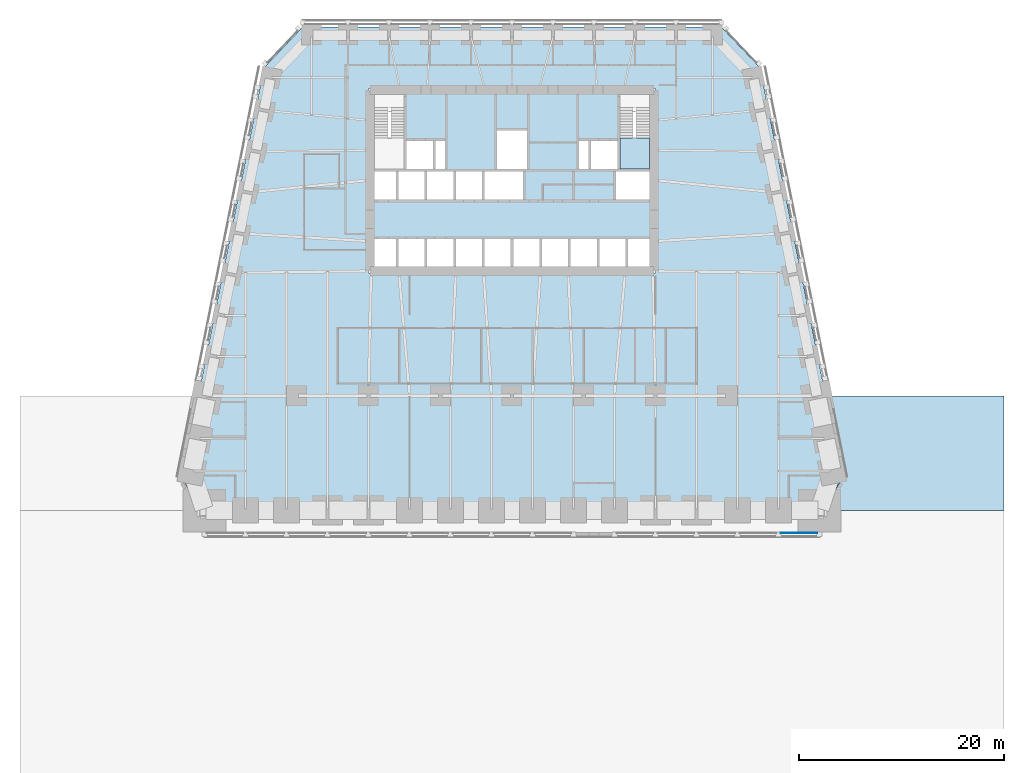
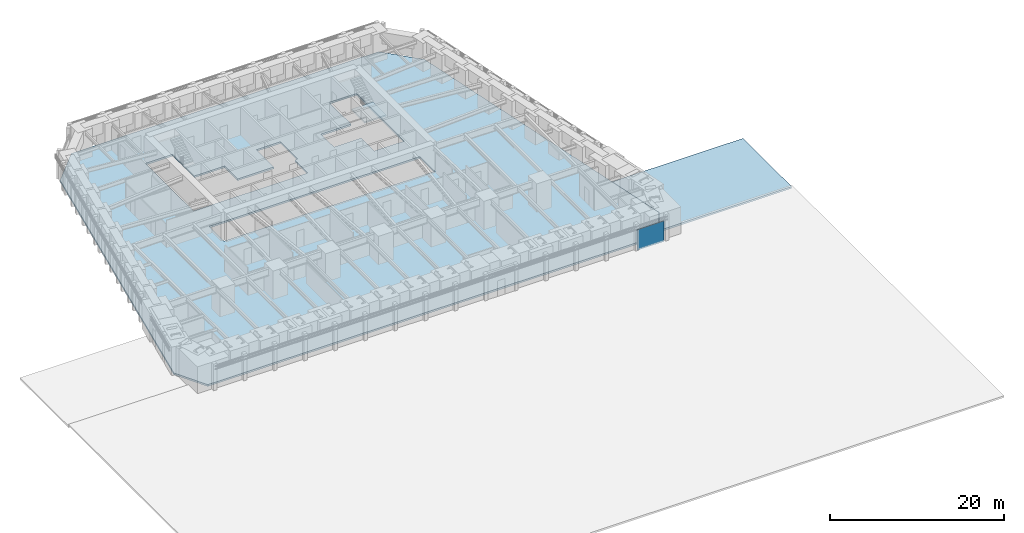
# One storey, part 8 of 18: 3 slabs, 1 plate, 2 elements without a shape of their own.
"""IFC4 building model written with IfcOpenShell, lengths in metres."""

import ifcopenshell
import ifcopenshell.guid

model = None  # the IFC model being written
_history = None  # IfcOwnerHistory: only IFC2X3 demands one
_inside = {}  # id of a spatial element -> (the spatial element, [elements in it])
_under = {}  # id of a project, library or spatial element -> (it, [spatial elements below it])
_declared = {}  # id of a project -> (the project, [libraries it declares])
_typed = {}  # id of a type object -> (the type object, [elements of that type])
_made_of = {}  # id of a material, layer set ... -> (it, [elements and type objects made of it])


def new_model(schema):
    """Start an empty IFC model of exactly this schema.

    Asked for "IFC4X3", IfcOpenShell would pick the latest addendum, in which some entities
    have other attributes; the version numbers below select the first issue.
    IFC2X3 requires an IfcOwnerHistory on every rooted entity: one is made here for all.
    """
    global model, _history
    if schema == "IFC4X3":
        model = ifcopenshell.file(schema_version=(4, 3, 0, 0))
    else:
        model = ifcopenshell.file(schema=schema)
    _inside.clear()
    _under.clear()
    _declared.clear()
    _typed.clear()
    _made_of.clear()
    _history = None
    if model.schema == "IFC2X3":
        org = make("IfcOrganization", Name="unknown")
        user = make(
            "IfcPersonAndOrganization",
            ThePerson=make("IfcPerson", FamilyName="unknown"),
            TheOrganization=org,
        )
        app = make(
            "IfcApplication",
            ApplicationDeveloper=org,
            Version="unknown",
            ApplicationFullName="unknown",
            ApplicationIdentifier="unknown",
        )
        _history = make(
            "IfcOwnerHistory",
            OwningUser=user,
            OwningApplication=app,
            ChangeAction="ADDED",
            CreationDate=0,
        )
    return model


def make(cls, **values):
    """One entity of the class cls with the attributes given. An attribute that is None is left unset."""
    return model.create_entity(
        cls, **{name: value for name, value in values.items() if value is not None}
    )


def rooted(cls, **values):
    """An entity with a GlobalId (a new one), such as an element, a storey or a relation."""
    return make(cls, GlobalId=ifcopenshell.guid.new(), OwnerHistory=_history, **values)


def si_unit(unit_type, name, prefix=None):
    """IfcSIUnit, for example si_unit("LENGTHUNIT", "METRE", prefix="MILLI")."""
    return make("IfcSIUnit", UnitType=unit_type, Prefix=prefix, Name=name)


def assignment(units):
    """IfcUnitAssignment: the units of a project."""
    return None if units is None else make("IfcUnitAssignment", Units=units)


def point(xyz):
    """IfcCartesianPoint."""
    return None if xyz is None else make("IfcCartesianPoint", Coordinates=xyz)


def direction(xyz):
    """IfcDirection."""
    return None if xyz is None else make("IfcDirection", DirectionRatios=xyz)


def frame(location, z_axis=None, x_axis=None):
    """IfcAxis2Placement3D, a coordinate frame: its origin and axes. An axis left out is left unset."""
    return make(
        "IfcAxis2Placement3D",
        Location=point(location),
        Axis=direction(z_axis),
        RefDirection=direction(x_axis),
    )


def frame_2d(location, x_axis=None):
    """IfcAxis2Placement2D, a coordinate frame in the plane: its origin and x axis."""
    return make(
        "IfcAxis2Placement2D", Location=point(location), RefDirection=direction(x_axis)
    )


def origin():
    """The frame at (0, 0, 0) with its axes left unset."""
    return frame((0.0, 0.0, 0.0))


def origin_2d():
    """The frame at (0, 0) in the plane with its x axis left unset."""
    return frame_2d((0.0, 0.0))


def place(relative_to, where):
    """IfcLocalPlacement: puts the frame where relative to a parent placement (None: the world)."""
    return make(
        "IfcLocalPlacement", PlacementRelTo=relative_to, RelativePlacement=where
    )


def context(
    kind, dimensions, precision=None, world=None, true_north=None, identifier=None
):
    """IfcGeometricRepresentationContext, for example the 3D "Model" context."""
    return make(
        "IfcGeometricRepresentationContext",
        ContextIdentifier=identifier,
        ContextType=kind,
        CoordinateSpaceDimension=dimensions,
        Precision=precision,
        WorldCoordinateSystem=world,
        TrueNorth=true_north,
    )


def subcontext(parent, identifier, kind, view, scale=None):
    """IfcGeometricRepresentationSubContext, for example "Body" below "Model"."""
    return make(
        "IfcGeometricRepresentationSubContext",
        ContextIdentifier=identifier,
        ContextType=kind,
        ParentContext=parent,
        TargetScale=scale,
        TargetView=view,
    )


def project(units=None, contexts=None):
    """IfcProject with its units and contexts."""
    return rooted(
        "IfcProject",
        Name="project",
        RepresentationContexts=contexts,
        UnitsInContext=assignment(units),
    )


def spatial(cls, under=None, at=None, **own):
    """A site, building, storey or space (cls), placed at a placement, below another one or the project."""
    s = rooted(cls, ObjectPlacement=at, **own)
    if under is not None:
        _under.setdefault(under.id(), (under, []))[1].append(s)
    return s


def polyline(points):
    """IfcPolyline through the points."""
    return make("IfcPolyline", Points=[point(p) for p in points])


def profile(cls, at=None, kind="AREA", **sizes):
    """A parametric profile (cls). Its sizes go by their IFC names, for example OverallWidth=200.0."""
    return make(cls, ProfileType=kind, Position=at, **sizes)


def rectangle(**sizes):
    """IfcRectangleProfileDef."""
    return profile("IfcRectangleProfileDef", **sizes)


def outline(outer, holes=None, kind="AREA"):
    """IfcArbitraryClosedProfileDef: a profile drawn as a closed curve; with holes, ...WithVoids."""
    if holes is None:
        return make("IfcArbitraryClosedProfileDef", ProfileType=kind, OuterCurve=outer)
    return make(
        "IfcArbitraryProfileDefWithVoids",
        ProfileType=kind,
        OuterCurve=outer,
        InnerCurves=holes,
    )


def extrude(swept, where, along, depth):
    """IfcExtrudedAreaSolid: the profile swept, set in the frame where, extruded along a direction by depth."""
    return make(
        "IfcExtrudedAreaSolid",
        SweptArea=swept,
        Position=where,
        ExtrudedDirection=direction(along),
        Depth=depth,
    )


def shape(context_of_items, identifier, shape_type, items):
    """IfcShapeRepresentation: the items that make up one representation, for example the "Body"."""
    return make(
        "IfcShapeRepresentation",
        ContextOfItems=context_of_items,
        RepresentationIdentifier=identifier,
        RepresentationType=shape_type,
        Items=items,
    )


def material(Name=None, Category=None):
    """IfcMaterial."""
    return make("IfcMaterial", Name=Name, Category=Category)


def layer(
    of_material, thickness, ventilated=None, Name=None, Category=None, Priority=None
):
    """IfcMaterialLayer: one layer of a wall or slab, of a material (None: an air gap)."""
    return make(
        "IfcMaterialLayer",
        Material=of_material,
        LayerThickness=thickness,
        IsVentilated=ventilated,
        Name=Name,
        Category=Category,
        Priority=Priority,
    )


def layer_set(layers, Name=None):
    """IfcMaterialLayerSet."""
    return make("IfcMaterialLayerSet", MaterialLayers=layers, LayerSetName=Name)


def made_of(thing, what):
    """Note that an element or type object is made of a material, layer set ...; save() writes the relation."""
    if what is not None:
        _made_of.setdefault(what.id(), (what, []))[1].append(thing)
    return thing


def type_object(cls, material=None, **own):
    """A type object (cls), such as IfcWallType, which elements share."""
    return made_of(rooted(cls, **own), material)


def element(
    cls,
    number,
    at=None,
    inside=None,
    cuts=None,
    type_object=None,
    material=None,
    context=None,
    identifier="Body",
    shape_type=None,
    held_by="IfcProductDefinitionShape",
    body=None,
    shapes=None,
    **own,
):
    """One element of the class cls, such as IfcWall. Its Tag is "e" and its number.

    at: its placement. inside: the storey or other place that contains it. cuts: it is an
    opening in that element (IfcRelVoidsElement). A single representation is given by context,
    identifier, shape_type and body (its items); several are given by shapes. held_by: the class
    of the entity that holds the representations. save() writes the other relations.
    """
    e = rooted(cls, Tag="e%d" % number, ObjectPlacement=at, **own)
    if body is not None:
        shapes = [shape(context, identifier, shape_type, body)]
    if shapes is not None:
        e.Representation = make(held_by, Representations=shapes)
    if inside is not None:
        _inside.setdefault(inside.id(), (inside, []))[1].append(e)
    if cuts is not None:
        rooted(
            "IfcRelVoidsElement", RelatingBuildingElement=cuts, RelatedOpeningElement=e
        )
    if type_object is not None:
        _typed.setdefault(type_object.id(), (type_object, []))[1].append(e)
    return made_of(e, material)


def aggregate(whole, parts):
    """IfcRelAggregates: a whole, such as a stair, and the parts it consists of."""
    return rooted("IfcRelAggregates", RelatingObject=whole, RelatedObjects=parts)


def save(model, path):
    """Write the relations noted so far, then the file.

    IfcRelAggregates (storeys below a building ...), IfcRelContainedInSpatialStructure (elements
    in a storey), IfcRelDefinesByType, IfcRelAssociatesMaterial and IfcRelDeclares: one each for
    every whole, place, type object, material and project.
    """
    for whole, parts in _under.values():
        aggregate(whole, parts)
    for where, things in _inside.values():
        rooted(
            "IfcRelContainedInSpatialStructure",
            RelatedElements=things,
            RelatingStructure=where,
        )
    for kind, things in _typed.values():
        rooted("IfcRelDefinesByType", RelatedObjects=things, RelatingType=kind)
    for what, things in _made_of.values():
        rooted("IfcRelAssociatesMaterial", RelatedObjects=things, RelatingMaterial=what)
    for by, libraries in _declared.values():
        rooted("IfcRelDeclares", RelatingContext=by, RelatedDefinitions=libraries)
    model.write(path)


model = new_model("IFC4")

# Units and contexts
model_context = context("Model", 3, precision=1e-05, world=origin(), true_north=direction((0.0, 1.0)))
body_context = subcontext(model_context, "Body", "Model", "MODEL_VIEW")
ifc_project = project(units=[si_unit("LENGTHUNIT", "METRE"), si_unit("AREAUNIT", "SQUARE_METRE"), si_unit("VOLUMEUNIT", "CUBIC_METRE"), si_unit("PLANEANGLEUNIT", "RADIAN"), si_unit("MASSUNIT", "GRAM", prefix="KILO")], contexts=[model_context])

# Site, building, storey
site_placement = place(None, origin())
site = spatial("IfcSite", under=ifc_project, at=site_placement, CompositionType="ELEMENT")
building_placement = place(site_placement, origin())
building = spatial("IfcBuilding", under=site, at=building_placement, Name="Isbrekke Arena Tower", CompositionType="ELEMENT")
storey_placement = place(building_placement, frame((0.0, 0.0, 28.0)))
storey = spatial("IfcBuildingStorey", under=building, at=storey_placement, Name="L04", CompositionType="ELEMENT", Elevation=28.0)

# Curtain wall, plate
ifc_material_1 = material(Name="Glazed aluminium curtain wall", Category="aluminium")
curtain_wall_type = type_object("IfcCurtainWallType", Name="CWL TOWER CURTAIN WALL LOW ZONE", PredefinedType="USERDEFINED", material=ifc_material_1)
curtain_wall_placement = place(storey_placement, origin())
curtain_wall = element("IfcCurtainWall", 1, at=curtain_wall_placement, inside=storey, type_object=curtain_wall_type, Name="CWL curtain wall L04-S2", ObjectType="TOWER CURTAIN WALL LOW ZONE", PredefinedType="USERDEFINED")
ifc_material_2 = material(Name="Triple-glazed clear glass unit", Category="glass")
ifc_layer_1 = layer(ifc_material_2, 0.031982421875)
ifc_layer_set_1 = layer_set([ifc_layer_1], Name="CWL-P VISION PANEL")
plate_type = type_object("IfcPlateType", Name="CWL-P VISION PANEL", PredefinedType="CURTAIN_PANEL", material=ifc_layer_set_1)
plate_placement = place(storey_placement, frame((28.0, -19.375, 0.02001953125), z_axis=(0.0, 0.0, 1.0), x_axis=(1.0, 0.0, 0.0)))
plate = element("IfcPlate", 2, at=plate_placement, type_object=plate_type, Name="CWL-P panel 5", PredefinedType="CURTAIN_PANEL", context=body_context, shape_type="SweptSolid", body=[
    extrude(rectangle(XDim=3.550048828125, YDim=0.031982421875, at=origin_2d()), origin(), (0.0, 0.0, 1.0), 2.8798828125),
])
aggregate(curtain_wall, [plate])

# Slabs
ifc_material_3 = material(Name="Concrete B35 (C35/45)", Category="concrete")
ifc_layer_2 = layer(ifc_material_3, 0.25)
ifc_layer_set_2 = layer_set([ifc_layer_2], Name="FS4 TRANSFER FLOOR 250")
slab_type_1 = type_object("IfcSlabType", Name="FS4 TRANSFER FLOOR 250", PredefinedType="FLOOR", material=ifc_layer_set_2)
slab_1_placement = place(storey_placement, frame((0.0, 0.0, -0.25)))
element("IfcSlab", 3, at=slab_1_placement, inside=storey, type_object=slab_type_1, Name="FS4 floor slab L04", PredefinedType="FLOOR", context=body_context, shape_type="SweptSolid", body=[
    extrude(outline(polyline([(-30.0, -18.0), (30.0, -18.0), (32.199951171875, -14.0), (24.199951171875, 26.0), (20.39990234375, 30.0), (-20.39990234375, 30.0), (-24.199951171875, 26.0), (-32.199951171875, -14.0), (-30.0, -18.0)]), holes=[polyline([(14.0, 9.39990234375), (14.0, 6.0), (-14.0, 6.0), (-14.0, 9.39990234375), (14.0, 9.39990234375)]), polyline([(-6.39990234375, 19.0), (-6.39990234375, 16.0), (-1.60009765625, 16.0), (-1.60009765625, 20.0), (1.60009765625, 20.0), (1.60009765625, 16.0), (1.199951171875, 16.0), (1.199951171875, 13.0), (-14.0, 13.0), (-14.0, 24.0), (-10.39990234375, 24.0), (-10.39990234375, 19.0), (-6.39990234375, 19.0)]), polyline([(10.0, 13.0), (10.0, 16.0), (6.39990234375, 16.0), (6.39990234375, 19.0), (10.39990234375, 19.0), (10.39990234375, 24.0), (14.0, 24.0), (14.0, 13.0), (10.0, 13.0)])]), origin(), (0.0, 0.0, 1.0), 0.25),
])
ifc_material_4 = material(Name="Concrete B35 (C35/45)", Category="concrete")
ifc_layer_3 = layer(ifc_material_4, 0.25)
ifc_layer_set_3 = layer_set([ifc_layer_3], Name="RS2 ARENA ROOF DECK 250")
slab_type_2 = type_object("IfcSlabType", Name="RS2 ARENA ROOF DECK 250", PredefinedType="ROOF", material=ifc_layer_set_3)
slab_2_placement = place(storey_placement, frame((0.0, 0.0, -0.25)))
element("IfcSlab", 4, at=slab_2_placement, inside=storey, type_object=slab_type_2, Name="RS2 arena roof deck E, maintenance access only", PredefinedType="ROOF", context=body_context, shape_type="SweptSolid", body=[
    extrude(outline(polyline([(30.453857421875, -17.175048828125), (48.0, -17.175048828125), (48.0, -6.0), (30.60009765625, -6.0), (32.199951171875, -14.0), (30.453857421875, -17.175048828125)])), origin(), (0.0, 0.0, 1.0), 0.25),
])

# Stair, slab
ifc_material_5 = material(Name="Concrete B45 (C45/55) precast", Category="concrete")
stair_type = type_object("IfcStairType", Name="ST40 STAIR 1300 WIDE, 24 RISERS 167", PredefinedType="HALF_TURN_STAIR", material=ifc_material_5)
stair_placement = place(storey_placement, origin())
stair = element("IfcStair", 5, at=stair_placement, inside=storey, type_object=stair_type, Name="ST2 stair L04", PredefinedType="HALF_TURN_STAIR")
ifc_material_6 = material(Name="Concrete B35 (C35/45)", Category="concrete")
ifc_layer_4 = layer(ifc_material_6, 0.199951171875)
ifc_layer_set_4 = layer_set([ifc_layer_4], Name="SL1 STAIR LANDING 200")
slab_type_3 = type_object("IfcSlabType", Name="SL1 STAIR LANDING 200", PredefinedType="LANDING", material=ifc_layer_set_4)
slab_3_placement = place(storey_placement, frame((0.0, 0.0, 1.800048828125)))
slab_3 = element("IfcSlab", 6, at=slab_3_placement, type_object=slab_type_3, Name="ST2 landing 1", PredefinedType="LANDING", context=body_context, shape_type="SweptSolid", body=[
    extrude(outline(polyline([(10.52490234375, 16.125), (13.39990234375, 16.125), (13.39990234375, 19.1298828125), (10.52490234375, 19.1298828125), (10.52490234375, 16.125)])), origin(), (0.0, 0.0, 1.0), 0.199951171875),
])
aggregate(stair, [slab_3])

save(model, "model.ifc")
